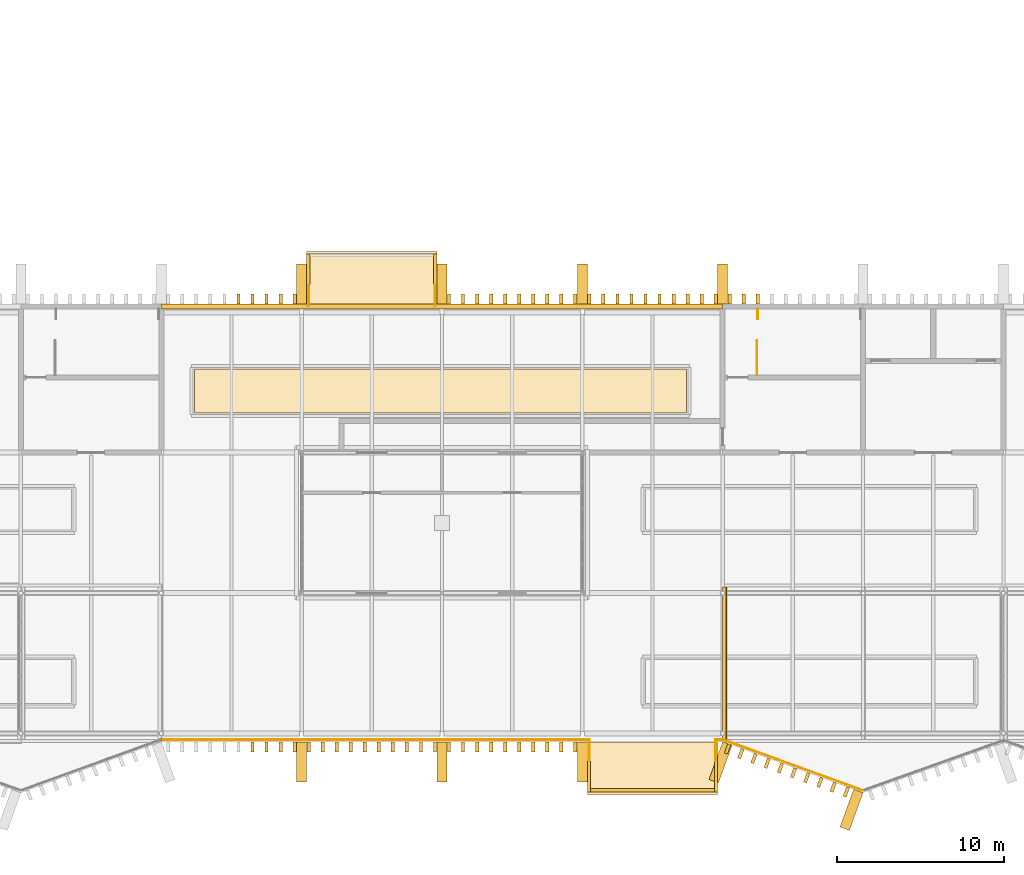
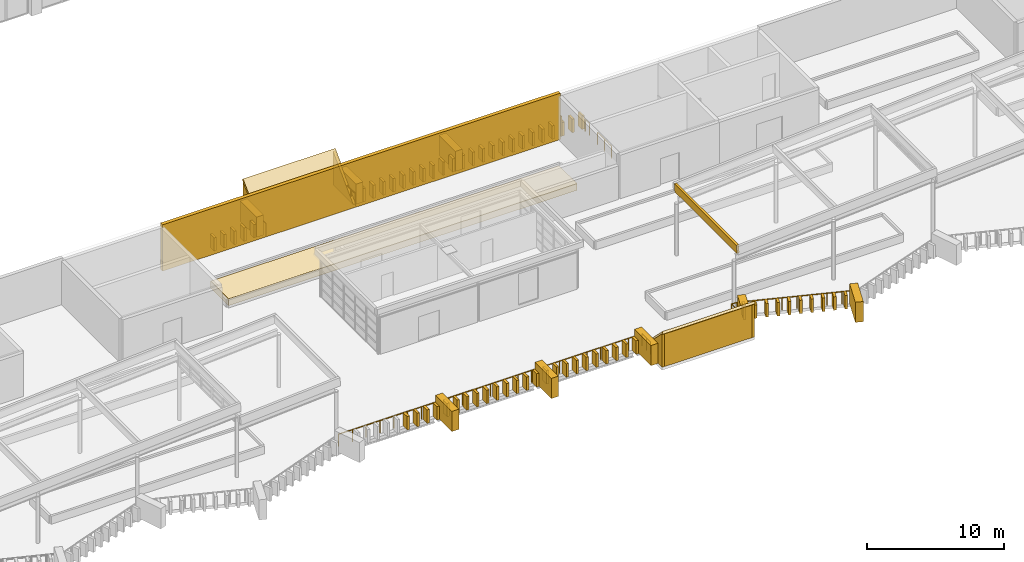
# One storey, part 46 of 51: 81 coverings, 9 railings.
"""IFC4 building model written with IfcOpenShell, lengths in metres."""

from ifc_helpers import new_model, si_unit, direction, frame, origin, origin_2d, place, context, subcontext, project, spatial, polyline, rectangle, circle, outline, extrude, material, layer, layer_set, type_object, element, save


model = new_model("IFC4")

# Units and contexts
model_context = context("Model", 3, precision=1e-05, world=origin(), true_north=direction((0.0, 1.0)))
body_context = subcontext(model_context, "Body", "Model", "MODEL_VIEW")
ifc_project = project(units=[si_unit("LENGTHUNIT", "METRE"), si_unit("AREAUNIT", "SQUARE_METRE"), si_unit("VOLUMEUNIT", "CUBIC_METRE"), si_unit("PLANEANGLEUNIT", "RADIAN"), si_unit("MASSUNIT", "GRAM", prefix="KILO")], contexts=[model_context])

# Site, building, storey
site_placement = place(None, origin())
site = spatial("IfcSite", under=ifc_project, at=site_placement, CompositionType="ELEMENT")
building_placement = place(site_placement, origin())
building = spatial("IfcBuilding", under=site, at=building_placement, Name="Cresset Court Congress Hotel", CompositionType="ELEMENT")
storey_placement = place(building_placement, frame((0.0, 0.0, 18.60009765625)))
storey = spatial("IfcBuildingStorey", under=building, at=storey_placement, Name="L04", CompositionType="ELEMENT", Elevation=18.60009765625)

# Railings
ifc_material_1 = material(Name="Steel and laminated glass", Category="steel")
railing_type_1 = type_object("IfcRailingType", Name="Guard 1100 steel and glass", PredefinedType="GUARDRAIL", material=ifc_material_1)
railing_1_placement = place(storey_placement, frame((102.90087890625, 24.800048828125, 0.0)))
element("IfcRailing", 1, at=railing_1_placement, inside=storey, type_object=railing_type_1, Name="Roof stair well guard 8", PredefinedType="GUARDRAIL", context=body_context, shape_type="SweptSolid", body=[
    extrude(circle(Radius=0.02392578125, at=origin_2d()), frame((0.0, 0.0, 1.076171875), z_axis=(0.0, 1.0, 0.0), x_axis=(-1.0, 0.0, 0.0)), (0.0, 0.0, 1.0), 0.599853515625),
    extrude(circle(Radius=0.02099609375, at=origin_2d()), origin(), (0.0, 0.0, 1.0), 1.052001953125),
    extrude(circle(Radius=0.02099609375, at=origin_2d()), frame((0.0, 0.599853515625, 0.0)), (0.0, 0.0, 1.0), 1.052001953125),
])
railing_2_placement = place(storey_placement, frame((102.85009765625, 21.449951171875, 0.0)))
element("IfcRailing", 2, at=railing_2_placement, inside=storey, type_object=railing_type_1, Name="L04 ST-B4 top well guard 1", PredefinedType="GUARDRAIL", context=body_context, shape_type="SweptSolid", body=[
    extrude(circle(Radius=0.02392578125, at=origin_2d()), frame((0.0, 0.0, 1.076171875), z_axis=(0.0, 1.0, 0.0), x_axis=(-1.0, 0.0, 0.0)), (0.0, 0.0, 1.0), 2.050048828125),
    extrude(circle(Radius=0.02099609375, at=origin_2d()), origin(), (0.0, 0.0, 1.0), 1.052001953125),
    extrude(circle(Radius=0.02099609375, at=origin_2d()), frame((0.0, 1.02490234375, 0.0)), (0.0, 0.0, 1.0), 1.052001953125),
    extrude(circle(Radius=0.02099609375, at=origin_2d()), frame((0.0, 2.050048828125, 0.0)), (0.0, 0.0, 1.0), 1.052001953125),
])
ifc_material_2 = material(Name="Steel and laminated glass", Category="steel")
railing_type_2 = type_object("IfcRailingType", Name="Guard 1100 steel and glass external", PredefinedType="GUARDRAIL", material=ifc_material_2)
railing_3_placement = place(storey_placement, frame((109.200439453125, -3.42236328125, 0.0)))
element("IfcRailing", 3, at=railing_3_placement, inside=storey, type_object=railing_type_2, Name="Roof garden guard 6", PredefinedType="GUARDRAIL", context=body_context, shape_type="SweptSolid", body=[
    extrude(circle(Radius=0.02392578125, at=origin_2d()), frame((0.0, 0.0, 1.076171875), z_axis=(-0.939958032876, 0.341290047366, 0.0), x_axis=(-0.341290047366, -0.939958032876, 0.0)), (0.0, 0.0, 1.0), 8.91455078125),
    extrude(circle(Radius=0.02099609375, at=origin_2d()), origin(), (0.0, 0.0, 1.0), 1.052001953125),
    extrude(circle(Radius=0.02099609375, at=origin_2d()), frame((-1.04736328125, 0.38037109375, 0.0)), (0.0, 0.0, 1.0), 1.052001953125),
    extrude(circle(Radius=0.02099609375, at=origin_2d()), frame((-2.0947265625, 0.7607421875, 0.0)), (0.0, 0.0, 1.0), 1.052001953125),
    extrude(circle(Radius=0.02099609375, at=origin_2d()), frame((-3.142333984375, 1.140869140625, 0.0)), (0.0, 0.0, 1.0), 1.052001953125),
    extrude(circle(Radius=0.02099609375, at=origin_2d()), frame((-4.189697265625, 1.521240234375, 0.0)), (0.0, 0.0, 1.0), 1.052001953125),
    extrude(circle(Radius=0.02099609375, at=origin_2d()), frame((-5.237060546875, 1.901611328125, 0.0)), (0.0, 0.0, 1.0), 1.052001953125),
    extrude(circle(Radius=0.02099609375, at=origin_2d()), frame((-6.28466796875, 2.28173828125, 0.0)), (0.0, 0.0, 1.0), 1.052001953125),
    extrude(circle(Radius=0.02099609375, at=origin_2d()), frame((-7.33203125, 2.662109375, 0.0)), (0.0, 0.0, 1.0), 1.052001953125),
    extrude(circle(Radius=0.02099609375, at=origin_2d()), frame((-8.37939453125, 3.04248046875, 0.0)), (0.0, 0.0, 1.0), 1.052001953125),
])
railing_4_placement = place(storey_placement, frame((100.3798828125, -0.3798828125, 0.0)))
element("IfcRailing", 4, at=railing_4_placement, inside=storey, type_object=railing_type_2, Name="Roof garden guard 7", PredefinedType="GUARDRAIL", context=body_context, shape_type="SweptSolid", body=[
    extrude(circle(Radius=0.02392578125, at=origin_2d()), frame((0.0, 0.0, 1.076171875), z_axis=(1.0, 0.0, 0.0), x_axis=(0.0, 1.0, 0.0)), (0.0, 0.0, 1.0), 0.441162109375),
    extrude(circle(Radius=0.02099609375, at=origin_2d()), origin(), (0.0, 0.0, 1.0), 1.052001953125),
    extrude(circle(Radius=0.02099609375, at=origin_2d()), frame((0.441162109375, 0.0, 0.0)), (0.0, 0.0, 1.0), 1.052001953125),
])
for number, where, name in (
    (5, (100.3798828125, -1.60009765625, 0.0), "Roof garden guard 8"),
    (6, (92.820068359375, -1.60009765625, 0.0), "Roof garden guard 9"),
):
    element("IfcRailing", number, at=place(storey_placement, frame(where)), inside=storey, type_object=railing_type_2, Name=name, PredefinedType="GUARDRAIL", context=body_context, shape_type="SweptSolid", body=[
        extrude(circle(Radius=0.02392578125, at=origin_2d()), frame((0.0, 0.0, 1.076171875), z_axis=(0.0, 1.0, 0.0), x_axis=(-1.0, 0.0, 0.0)), (0.0, 0.0, 1.0), 1.22021484375),
        extrude(circle(Radius=0.02099609375, at=origin_2d()), origin(), (0.0, 0.0, 1.0), 1.052001953125),
        extrude(circle(Radius=0.02099609375, at=origin_2d()), frame((0.0, 0.610107421875, 0.0)), (0.0, 0.0, 1.0), 1.052001953125),
        extrude(circle(Radius=0.02099609375, at=origin_2d()), frame((0.0, 1.22021484375, 0.0)), (0.0, 0.0, 1.0), 1.052001953125),
    ])
railing_5_placement = place(storey_placement, frame((67.178955078125, -0.3798828125, 0.0)))
element("IfcRailing", 7, at=railing_5_placement, inside=storey, type_object=railing_type_2, Name="Roof garden guard 10", PredefinedType="GUARDRAIL", context=body_context, shape_type="SweptSolid", body=[
    extrude(circle(Radius=0.02392578125, at=origin_2d()), frame((0.0, 0.0, 1.076171875), z_axis=(1.0, 0.0, 0.0), x_axis=(0.0, 1.0, 0.0)), (0.0, 0.0, 1.0), 25.64111328125),
    extrude(circle(Radius=0.02099609375, at=origin_2d()), origin(), (0.0, 0.0, 1.0), 1.052001953125),
    extrude(circle(Radius=0.02099609375, at=origin_2d()), frame((1.16552734375, 0.0, 0.0)), (0.0, 0.0, 1.0), 1.052001953125),
    extrude(circle(Radius=0.02099609375, at=origin_2d()), frame((2.3310546875, 0.0, 0.0)), (0.0, 0.0, 1.0), 1.052001953125),
    extrude(circle(Radius=0.02099609375, at=origin_2d()), frame((3.49658203125, 0.0, 0.0)), (0.0, 0.0, 1.0), 1.052001953125),
    extrude(circle(Radius=0.02099609375, at=origin_2d()), frame((4.662109375, 0.0, 0.0)), (0.0, 0.0, 1.0), 1.052001953125),
    extrude(circle(Radius=0.02099609375, at=origin_2d()), frame((5.82763671875, 0.0, 0.0)), (0.0, 0.0, 1.0), 1.052001953125),
    extrude(circle(Radius=0.02099609375, at=origin_2d()), frame((6.992919921875, 0.0, 0.0)), (0.0, 0.0, 1.0), 1.052001953125),
    extrude(circle(Radius=0.02099609375, at=origin_2d()), frame((8.158447265625, 0.0, 0.0)), (0.0, 0.0, 1.0), 1.052001953125),
    extrude(circle(Radius=0.02099609375, at=origin_2d()), frame((9.323974609375, 0.0, 0.0)), (0.0, 0.0, 1.0), 1.052001953125),
    extrude(circle(Radius=0.02099609375, at=origin_2d()), frame((10.489501953125, 0.0, 0.0)), (0.0, 0.0, 1.0), 1.052001953125),
    extrude(circle(Radius=0.02099609375, at=origin_2d()), frame((11.655029296875, 0.0, 0.0)), (0.0, 0.0, 1.0), 1.052001953125),
    extrude(circle(Radius=0.02099609375, at=origin_2d()), frame((12.820556640625, 0.0, 0.0)), (0.0, 0.0, 1.0), 1.052001953125),
    extrude(circle(Radius=0.02099609375, at=origin_2d()), frame((13.986083984375, 0.0, 0.0)), (0.0, 0.0, 1.0), 1.052001953125),
    extrude(circle(Radius=0.02099609375, at=origin_2d()), frame((15.151611328125, 0.0, 0.0)), (0.0, 0.0, 1.0), 1.052001953125),
    extrude(circle(Radius=0.02099609375, at=origin_2d()), frame((16.317138671875, 0.0, 0.0)), (0.0, 0.0, 1.0), 1.052001953125),
    extrude(circle(Radius=0.02099609375, at=origin_2d()), frame((17.482666015625, 0.0, 0.0)), (0.0, 0.0, 1.0), 1.052001953125),
    extrude(circle(Radius=0.02099609375, at=origin_2d()), frame((18.648193359375, 0.0, 0.0)), (0.0, 0.0, 1.0), 1.052001953125),
    extrude(circle(Radius=0.02099609375, at=origin_2d()), frame((19.8134765625, 0.0, 0.0)), (0.0, 0.0, 1.0), 1.052001953125),
    extrude(circle(Radius=0.02099609375, at=origin_2d()), frame((20.97900390625, 0.0, 0.0)), (0.0, 0.0, 1.0), 1.052001953125),
    extrude(circle(Radius=0.02099609375, at=origin_2d()), frame((22.14453125, 0.0, 0.0)), (0.0, 0.0, 1.0), 1.052001953125),
    extrude(circle(Radius=0.02099609375, at=origin_2d()), frame((23.31005859375, 0.0, 0.0)), (0.0, 0.0, 1.0), 1.052001953125),
    extrude(circle(Radius=0.02099609375, at=origin_2d()), frame((24.4755859375, 0.0, 0.0)), (0.0, 0.0, 1.0), 1.052001953125),
    extrude(circle(Radius=0.02099609375, at=origin_2d()), frame((25.64111328125, 0.0, 0.0)), (0.0, 0.0, 1.0), 1.052001953125),
])
for number, where, name in (
    (8, (76.02001953125, 25.580078125, 0.0), "Roof garden guard 21"),
    (9, (83.580078125, 25.580078125, 0.0), "Roof garden guard 22"),
):
    element("IfcRailing", number, at=place(storey_placement, frame(where)), inside=storey, type_object=railing_type_2, Name=name, PredefinedType="GUARDRAIL", context=body_context, shape_type="SweptSolid", body=[
        extrude(circle(Radius=0.02392578125, at=origin_2d()), frame((0.0, 0.0, 1.076171875), z_axis=(0.0, 1.0, 0.0), x_axis=(-1.0, 0.0, 0.0)), (0.0, 0.0, 1.0), 1.219970703125),
        extrude(circle(Radius=0.02099609375, at=origin_2d()), origin(), (0.0, 0.0, 1.0), 1.052001953125),
        extrude(circle(Radius=0.02099609375, at=origin_2d()), frame((0.0, 0.60986328125, 0.0)), (0.0, 0.0, 1.0), 1.052001953125),
        extrude(circle(Radius=0.02099609375, at=origin_2d()), frame((0.0, 1.219970703125, 0.0)), (0.0, 0.0, 1.0), 1.052001953125),
    ])

# Coverings
ifc_material_3 = material(Name="Concrete C50", Category="concrete")
ifc_layer_1 = layer(ifc_material_3, 0.199951171875)
ifc_layer_set_1 = layer_set([ifc_layer_1], Name="Planter edge 200 precast")
covering_type_1 = type_object("IfcCoveringType", Name="Planter edge 200 precast", PredefinedType="USERDEFINED", material=ifc_layer_set_1)
covering_1_placement = place(storey_placement, frame((100.800048828125, -0.35009765625, 6.14990234375), z_axis=(-0.069429123991, 0.0, 0.997586886813), x_axis=(0.997586886813, 0.0, 0.069429123991)))
element("IfcCovering", 10, at=covering_1_placement, inside=storey, type_object=covering_type_1, Name="Planter edge plate 4 line 1", ObjectType="PLANTER EDGE", PredefinedType="USERDEFINED", context=body_context, shape_type="SweptSolid", body=[
    extrude(outline(polyline([(0.0, 0.0), (0.2004348438397402, 0.0), (0.2004348438397402, 9.10009765625), (0.0, 9.10009765625), (0.0, 0.0)])), origin(), (0.0, 0.0, -1.0), 0.75),
])
ifc_material_4 = material(Name="Planting soil")
ifc_layer_2 = layer(ifc_material_4, 0.60009765625)
ifc_layer_set_2 = layer_set([ifc_layer_2], Name="Planter soil bed 600")
covering_type_2 = type_object("IfcCoveringType", Name="Planter soil bed 600", PredefinedType="FLOORING", material=ifc_layer_set_2)
covering_2_placement = place(storey_placement, origin())
element("IfcCovering", 11, at=covering_2_placement, inside=storey, type_object=covering_type_2, Name="Planting bed 10", PredefinedType="FLOORING", context=body_context, shape_type="SweptSolid", body=[
    extrude(outline(polyline([(69.179931640625, 19.179931640625), (98.6201171875, 19.179931640625), (98.6201171875, 21.820068359375), (69.179931640625, 21.820068359375), (69.179931640625, 19.179931640625)])), origin(), (0.0, 0.0, 1.0), 0.599853515625),
])
ifc_material_5 = material(Name="Precast concrete C50", Category="concrete")
covering_type_3 = type_object("IfcCoveringType", Name="Precast stone fin 200x600 variant 1", PredefinedType="CLADDING", material=ifc_material_5)
for number, where, z_axis, x_axis, name in (
    (12, (101.09228515625, -0.92529296875, 0.0), (0.0, 0.0, 1.0), (0.939956783309, -0.341293488819, 0.0), "Fin S04-110"),
    (13, (101.8818359375, -1.2119140625, 0.0), (0.0, 0.0, 1.0), (0.939956783309, -0.341293488819, 0.0), "Fin S04-111"),
    (14, (102.671630859375, -1.498779296875, 0.0), (0.0, 0.0, 1.0), (0.939956783309, -0.341293488819, 0.0), "Fin S04-112"),
    (15, (103.461181640625, -1.785400390625, 0.0), (0.0, 0.0, 1.0), (0.939956783309, -0.341293488819, 0.0), "Fin S04-113"),
    (16, (104.250732421875, -2.072021484375, 0.0), (0.0, 0.0, 1.0), (0.939956783309, -0.341293488819, 0.0), "Fin S04-114"),
    (17, (105.040283203125, -2.358642578125, 0.0), (0.0, 0.0, 1.0), (0.939956783309, -0.341293488819, 0.0), "Fin S04-115"),
    (18, (105.829833984375, -2.6455078125, 0.0), (0.0, 0.0, 1.0), (0.939956783309, -0.341293488819, 0.0), "Fin S04-116"),
    (19, (106.619384765625, -2.93212890625, 0.0), (0.0, 0.0, 1.0), (0.939956783309, -0.341293488819, 0.0), "Fin S04-117"),
    (20, (107.408935546875, -3.21875, 0.0), (0.0, 0.0, 1.0), (0.939956783309, -0.341293488819, 0.0), "Fin S04-118"),
    (21, (108.198486328125, -3.505615234375, 0.0), (0.0, 0.0, 1.0), (0.939956783309, -0.341293488819, 0.0), "Fin S04-119"),
    (22, (72.659912109375, -0.800048828125, 0.0), (0.0, 0.0, 1.0), (1.0, 0.0, 0.0), "Fin S04-076"),
    (23, (73.5, -0.800048828125, 0.0), (0.0, 0.0, 1.0), (1.0, 0.0, 0.0), "Fin S04-077"),
    (24, (74.340087890625, -0.800048828125, 0.0), (0.0, 0.0, 1.0), (1.0, 0.0, 0.0), "Fin S04-078"),
    (25, (75.179931640625, -0.800048828125, 0.0), (0.0, 0.0, 1.0), (1.0, 0.0, 0.0), "Fin S04-079"),
    (26, (76.02001953125, -0.800048828125, 0.0), (0.0, 0.0, 1.0), (1.0, 0.0, 0.0), "Fin S04-080"),
    (27, (76.860107421875, -0.800048828125, 0.0), (0.0, 0.0, 1.0), (1.0, 0.0, 0.0), "Fin S04-081"),
    (28, (77.699951171875, -0.800048828125, 0.0), (0.0, 0.0, 1.0), (1.0, 0.0, 0.0), "Fin S04-082"),
    (29, (78.5400390625, -0.800048828125, 0.0), (0.0, 0.0, 1.0), (1.0, 0.0, 0.0), "Fin S04-083"),
    (30, (79.3798828125, -0.800048828125, 0.0), (0.0, 0.0, 1.0), (1.0, 0.0, 0.0), "Fin S04-084"),
    (31, (80.219970703125, -0.800048828125, 0.0), (0.0, 0.0, 1.0), (1.0, 0.0, 0.0), "Fin S04-085"),
    (32, (81.06005859375, -0.800048828125, 0.0), (0.0, 0.0, 1.0), (1.0, 0.0, 0.0), "Fin S04-086"),
    (33, (81.89990234375, -0.800048828125, 0.0), (0.0, 0.0, 1.0), (1.0, 0.0, 0.0), "Fin S04-087"),
    (34, (82.739990234375, -0.800048828125, 0.0), (0.0, 0.0, 1.0), (1.0, 0.0, 0.0), "Fin S04-088"),
    (35, (83.580078125, -0.800048828125, 0.0), (0.0, 0.0, 1.0), (1.0, 0.0, 0.0), "Fin S04-089"),
    (36, (84.419921875, -0.800048828125, 0.0), (0.0, 0.0, 1.0), (1.0, 0.0, 0.0), "Fin S04-090"),
    (37, (85.260009765625, -0.800048828125, 0.0), (0.0, 0.0, 1.0), (1.0, 0.0, 0.0), "Fin S04-091"),
    (38, (86.10009765625, -0.800048828125, 0.0), (0.0, 0.0, 1.0), (1.0, 0.0, 0.0), "Fin S04-092"),
    (39, (86.93994140625, -0.800048828125, 0.0), (0.0, 0.0, 1.0), (1.0, 0.0, 0.0), "Fin S04-093"),
    (40, (87.780029296875, -0.800048828125, 0.0), (0.0, 0.0, 1.0), (1.0, 0.0, 0.0), "Fin S04-094"),
    (41, (88.6201171875, -0.800048828125, 0.0), (0.0, 0.0, 1.0), (1.0, 0.0, 0.0), "Fin S04-095"),
    (42, (89.4599609375, -0.800048828125, 0.0), (0.0, 0.0, 1.0), (1.0, 0.0, 0.0), "Fin S04-096"),
    (43, (90.300048828125, -0.800048828125, 0.0), (0.0, 0.0, 1.0), (1.0, 0.0, 0.0), "Fin S04-097"),
    (44, (91.139892578125, -0.800048828125, 0.0), (0.0, 0.0, 1.0), (1.0, 0.0, 0.0), "Fin S04-098"),
    (45, (91.97998046875, -0.800048828125, 0.0), (0.0, 0.0, 1.0), (1.0, 0.0, 0.0), "Fin S04-099"),
    (46, (71.820068359375, 26.0, 0.0), (0.0, 0.0, 1.0), (1.0, 0.0, 0.0), "Fin N04-075"),
    (47, (72.659912109375, 26.0, 0.0), (0.0, 0.0, 1.0), (1.0, 0.0, 0.0), "Fin N04-076"),
    (48, (73.5, 26.0, 0.0), (0.0, 0.0, 1.0), (1.0, 0.0, 0.0), "Fin N04-077"),
    (49, (74.340087890625, 26.0, 0.0), (0.0, 0.0, 1.0), (1.0, 0.0, 0.0), "Fin N04-078"),
    (50, (75.179931640625, 26.0, 0.0), (0.0, 0.0, 1.0), (1.0, 0.0, 0.0), "Fin N04-079"),
    (51, (84.419921875, 26.0, 0.0), (0.0, 0.0, 1.0), (1.0, 0.0, 0.0), "Fin N04-090"),
    (52, (85.260009765625, 26.0, 0.0), (0.0, 0.0, 1.0), (1.0, 0.0, 0.0), "Fin N04-091"),
    (53, (86.10009765625, 26.0, 0.0), (0.0, 0.0, 1.0), (1.0, 0.0, 0.0), "Fin N04-092"),
    (54, (86.93994140625, 26.0, 0.0), (0.0, 0.0, 1.0), (1.0, 0.0, 0.0), "Fin N04-093"),
    (55, (87.780029296875, 26.0, 0.0), (0.0, 0.0, 1.0), (1.0, 0.0, 0.0), "Fin N04-094"),
    (56, (88.6201171875, 26.0, 0.0), (0.0, 0.0, 1.0), (1.0, 0.0, 0.0), "Fin N04-095"),
    (57, (89.4599609375, 26.0, 0.0), (0.0, 0.0, 1.0), (1.0, 0.0, 0.0), "Fin N04-096"),
    (58, (90.300048828125, 26.0, 0.0), (0.0, 0.0, 1.0), (1.0, 0.0, 0.0), "Fin N04-097"),
    (59, (91.139892578125, 26.0, 0.0), (0.0, 0.0, 1.0), (1.0, 0.0, 0.0), "Fin N04-098"),
    (60, (91.97998046875, 26.0, 0.0), (0.0, 0.0, 1.0), (1.0, 0.0, 0.0), "Fin N04-099"),
    (61, (92.820068359375, 26.0, 0.0), (0.0, 0.0, 1.0), (1.0, 0.0, 0.0), "Fin N04-100"),
    (62, (93.659912109375, 26.0, 0.0), (0.0, 0.0, 1.0), (1.0, 0.0, 0.0), "Fin N04-101"),
    (63, (94.5, 26.0, 0.0), (0.0, 0.0, 1.0), (1.0, 0.0, 0.0), "Fin N04-102"),
    (64, (95.340087890625, 26.0, 0.0), (0.0, 0.0, 1.0), (1.0, 0.0, 0.0), "Fin N04-103"),
    (65, (96.179931640625, 26.0, 0.0), (0.0, 0.0, 1.0), (1.0, 0.0, 0.0), "Fin N04-104"),
    (66, (97.02001953125, 26.0, 0.0), (0.0, 0.0, 1.0), (1.0, 0.0, 0.0), "Fin N04-105"),
    (67, (97.860107421875, 26.0, 0.0), (0.0, 0.0, 1.0), (1.0, 0.0, 0.0), "Fin N04-106"),
    (68, (98.699951171875, 26.0, 0.0), (0.0, 0.0, 1.0), (1.0, 0.0, 0.0), "Fin N04-107"),
    (69, (99.5400390625, 26.0, 0.0), (0.0, 0.0, 1.0), (1.0, 0.0, 0.0), "Fin N04-108"),
    (70, (100.3798828125, 26.0, 0.0), (0.0, 0.0, 1.0), (1.0, 0.0, 0.0), "Fin N04-109"),
    (71, (101.219970703125, 26.0, 0.0), (0.0, 0.0, 1.0), (1.0, 0.0, 0.0), "Fin N04-110"),
    (72, (102.06005859375, 26.0, 0.0), (0.0, 0.0, 1.0), (1.0, 0.0, 0.0), "Fin N04-111"),
    (73, (102.89990234375, 26.0, 0.0), (0.0, 0.0, 1.0), (1.0, 0.0, 0.0), "Fin N04-112"),
):
    element("IfcCovering", number, at=place(storey_placement, frame(where, z_axis=z_axis, x_axis=x_axis)), inside=storey, type_object=covering_type_3, Name=name, PredefinedType="CLADDING", context=body_context, shape_type="SweptSolid", body=[
        extrude(rectangle(XDim=0.199951171875, YDim=0.60009765625, at=origin_2d()), origin(), (0.0, 0.0, 1.0), 1.199951171875),
    ])
ifc_material_6 = material(Name="Precast concrete C50", Category="concrete")
ifc_layer_3 = layer(ifc_material_6, 0.199951171875)
ifc_layer_set_3 = layer_set([ifc_layer_3], Name="Precast stone hood cheek 200")
covering_type_4 = type_object("IfcCoveringType", Name="Precast stone hood cheek 200", PredefinedType="CLADDING", material=ifc_layer_set_3)
for number, where, z_axis, x_axis, name in (
    (74, (92.89990234375, -0.5, 0.0), (1.0, 0.0, 0.0), (0.0, -0.707106781187, 0.707106781187), "Hood cheek S10a"),
    (75, (100.5, -0.5, 0.0), (1.0, 0.0, 0.0), (0.0, -0.707106781187, 0.707106781187), "Hood cheek S10b"),
):
    element("IfcCovering", number, at=place(storey_placement, frame(where, z_axis=z_axis, x_axis=x_axis)), inside=storey, type_object=covering_type_4, Name=name, PredefinedType="CLADDING", context=body_context, shape_type="SweptSolid", body=[
        extrude(outline(polyline([(0.0, 0.0), (4.242640687119286, 0.0), (2.121320343559643, 2.121320343559643), (0.0, 0.0)])), origin(), (0.0, 0.0, -1.0), 0.199951171875),
    ])
for number, where, z_axis, x_axis, name in (
    (76, (76.10009765625, 25.699951171875, 0.0), (1.0, 0.0, 0.0), (0.0, 1.0, 0.0), "Hood cheek N08a"),
    (77, (83.699951171875, 25.699951171875, 0.0), (1.0, 0.0, 0.0), (0.0, 1.0, 0.0), "Hood cheek N08b"),
):
    element("IfcCovering", number, at=place(storey_placement, frame(where, z_axis=z_axis, x_axis=x_axis)), inside=storey, type_object=covering_type_4, Name=name, PredefinedType="CLADDING", context=body_context, shape_type="SweptSolid", body=[
        extrude(outline(polyline([(0.0, 0.0), (3.0, 0.0), (3.0, 3.0), (0.0, 0.0)])), origin(), (0.0, 0.0, -1.0), 0.199951171875),
    ])
ifc_material_7 = material(Name="Precast concrete C50", Category="concrete")
ifc_layer_4 = layer(ifc_material_7, 0.199951171875)
ifc_layer_set_4 = layer_set([ifc_layer_4], Name="Precast stone hood fascia 200")
covering_type_5 = type_object("IfcCoveringType", Name="Precast stone hood fascia 200", PredefinedType="CLADDING", material=ifc_layer_set_4)
covering_3_placement = place(storey_placement, frame((96.60009765625, -3.39990234375, 0.0), z_axis=(0.0, 0.0, 1.0), x_axis=(1.0, 0.0, 0.0)))
element("IfcCovering", 78, at=covering_3_placement, inside=storey, type_object=covering_type_5, Name="Hood fascia S10", PredefinedType="CLADDING", context=body_context, shape_type="SweptSolid", body=[
    extrude(rectangle(XDim=7.39990234375, YDim=0.199951171875, at=origin_2d()), origin(), (0.0, 0.0, 1.0), 3.0),
])
ifc_material_8 = material(Name="Precast concrete C50", Category="concrete")
covering_type_6 = type_object("IfcCoveringType", Name="Precast stone pier 600x2400", PredefinedType="CLADDING", material=ifc_material_8)
for number, where, z_axis, x_axis, name in (
    (79, (108.508544921875, -4.575439453125, 0.0), (0.0, 0.0, 1.0), (0.939956783309, -0.341293488819, 0.0), "Pier S04-12"),
    (80, (100.67236328125, -1.730224609375, 0.0), (0.0, 0.0, 1.0), (0.939956783309, -0.341293488819, 0.0), "Pier S04-11"),
    (81, (75.60009765625, -1.699951171875, 0.0), (0.0, 0.0, 1.0), (1.0, 0.0, 0.0), "Pier S04-08"),
    (82, (84.0, -1.699951171875, 0.0), (0.0, 0.0, 1.0), (1.0, 0.0, 0.0), "Pier S04-09"),
    (83, (92.39990234375, -1.699951171875, 0.0), (0.0, 0.0, 1.0), (1.0, 0.0, 0.0), "Pier S04-10"),
    (84, (75.60009765625, 26.89990234375, 0.0), (0.0, 0.0, 1.0), (1.0, 0.0, 0.0), "Pier N04-08"),
    (85, (84.0, 26.89990234375, 0.0), (0.0, 0.0, 1.0), (1.0, 0.0, 0.0), "Pier N04-09"),
    (86, (92.39990234375, 26.89990234375, 0.0), (0.0, 0.0, 1.0), (1.0, 0.0, 0.0), "Pier N04-10"),
    (87, (100.800048828125, 26.89990234375, 0.0), (0.0, 0.0, 1.0), (1.0, 0.0, 0.0), "Pier N04-11"),
):
    element("IfcCovering", number, at=place(storey_placement, frame(where, z_axis=z_axis, x_axis=x_axis)), inside=storey, type_object=covering_type_6, Name=name, PredefinedType="CLADDING", context=body_context, shape_type="SweptSolid", body=[
        extrude(rectangle(XDim=0.60009765625, YDim=2.39990234375, at=origin_2d()), origin(), (0.0, 0.0, 1.0), 1.800048828125),
    ])
ifc_material_9 = material(Name="Concrete C50", Category="concrete")
ifc_layer_5 = layer(ifc_material_9, 0.300048828125)
ifc_layer_set_5 = layer_set([ifc_layer_5], Name="Precast stone roof screen 300")
covering_type_7 = type_object("IfcCoveringType", Name="Precast stone roof screen 300", PredefinedType="CLADDING", material=ifc_layer_set_5)
covering_4_placement = place(storey_placement, frame((84.0, 25.550048828125, 0.0), z_axis=(0.0, 0.0, 1.0), x_axis=(1.0, 0.0, 0.0)))
element("IfcCovering", 88, at=covering_4_placement, inside=storey, type_object=covering_type_7, Name="Roof screen 4", PredefinedType="CLADDING", context=body_context, shape_type="SweptSolid", body=[
    extrude(rectangle(XDim=33.60009765625, YDim=0.300048828125, at=origin_2d()), origin(), (0.0, 0.0, 1.0), 4.139892578125),
])
ifc_material_10 = material(Name="Titanium-zinc standing seam roof panel")
ifc_layer_6 = layer(ifc_material_10, 0.199951171875)
ifc_layer_set_6 = layer_set([ifc_layer_6], Name="Zinc hood roof plate 200")
covering_type_8 = type_object("IfcCoveringType", Name="Zinc hood roof plate 200", PredefinedType="CLADDING", material=ifc_layer_set_6)
covering_5_placement = place(storey_placement, frame((92.699951171875, -0.5, 0.199951171875), z_axis=(0.0, 0.707106781187, 0.707106781187), x_axis=(1.0, 0.0, 0.0)))
element("IfcCovering", 89, at=covering_5_placement, inside=storey, type_object=covering_type_8, Name="Hood roof S10", PredefinedType="CLADDING", context=body_context, shape_type="SweptSolid", body=[
    extrude(outline(polyline([(0.0, 0.0), (7.800048828125, 0.0), (7.800048828125, -4.242640687119286), (0.0, -4.242640687119286), (0.0, 0.0)])), origin(), (0.0, 0.0, -1.0), 0.199951171875),
])
covering_6_placement = place(storey_placement, frame((75.89990234375, 25.699951171875, 0.199951171875), z_axis=(0.0, -0.707106781187, 0.707106781187), x_axis=(1.0, 0.0, 0.0)))
element("IfcCovering", 90, at=covering_6_placement, inside=storey, type_object=covering_type_8, Name="Hood roof N08", PredefinedType="CLADDING", context=body_context, shape_type="SweptSolid", body=[
    extrude(outline(polyline([(0.0, 0.0), (7.800048828125, 0.0), (7.800048828125, 4.242640687119286), (0.0, 4.242640687119286), (0.0, 0.0)])), origin(), (0.0, 0.0, -1.0), 0.199951171875),
])

save(model, "model.ifc")
